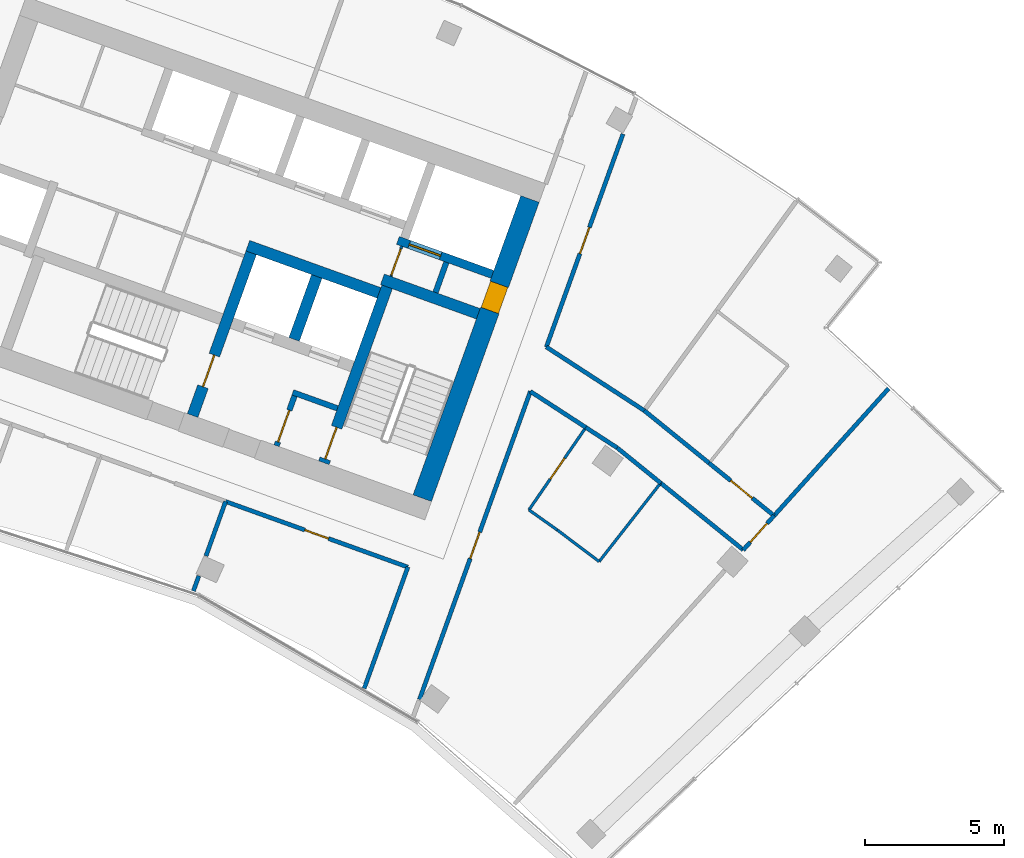
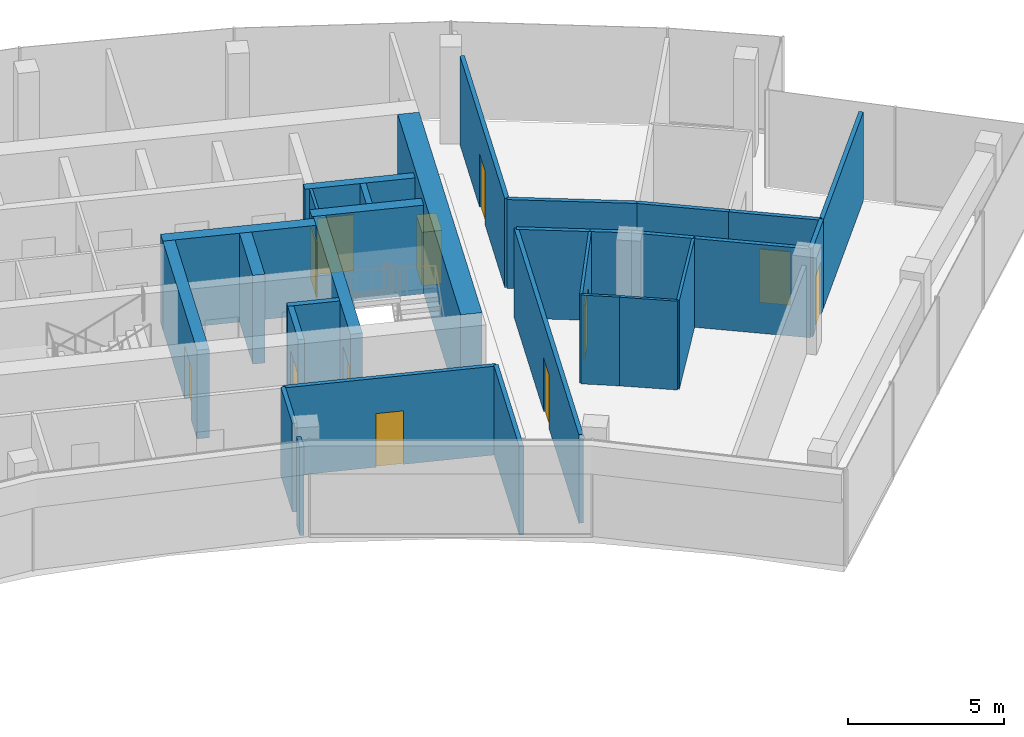
# One storey, part 16 of 18: 30 walls, 12 doors, 12 openings.
"""IFC4 building model written with IfcOpenShell, lengths in metres."""

from ifc_helpers import new_model, si_unit, direction, frame, frame_2d, origin, place, context, subcontext, project, spatial, rectangle, extrude, material, layer, layer_set, type_object, element, fill, save


model = new_model("IFC4")

# Units and contexts
model_context = context("Model", 3, precision=1e-05, world=origin(), true_north=direction((0.0, 1.0)))
body_context = subcontext(model_context, "Body", "Model", "MODEL_VIEW")
ifc_project = project(units=[si_unit("LENGTHUNIT", "METRE"), si_unit("AREAUNIT", "SQUARE_METRE"), si_unit("VOLUMEUNIT", "CUBIC_METRE"), si_unit("PLANEANGLEUNIT", "RADIAN"), si_unit("MASSUNIT", "GRAM", prefix="KILO")], contexts=[model_context])

# Site, building, storey
site_placement = place(None, origin())
site = spatial("IfcSite", under=ifc_project, at=site_placement, CompositionType="ELEMENT")
building_placement = place(site_placement, origin())
building = spatial("IfcBuilding", under=site, at=building_placement, Name="Stone Belt Terrace Tower", CompositionType="ELEMENT")
storey_placement = place(building_placement, frame((0.0, 0.0, 296.0)))
storey = spatial("IfcBuildingStorey", under=building, at=storey_placement, Name="L72", CompositionType="ELEMENT", Elevation=296.0)

# Wall, opening, door
ifc_material_1 = material(Name="Plasterboard partition")
ifc_layer_1 = layer(ifc_material_1, 0.10009765625)
ifc_layer_set_1 = layer_set([ifc_layer_1], Name="Core partition 100")
wall_type_1 = type_object("IfcWallType", Name="Core partition 100", PredefinedType="PARTITIONING", material=ifc_layer_set_1)
wall_1_placement = place(storey_placement, frame((24.555908203125, 51.10400390625, 0.0), z_axis=(0.0, 0.0, 1.0), x_axis=(0.338621735342, 0.94092258999, 0.0)))
wall_1 = element("IfcWall", 1, at=wall_1_placement, inside=storey, type_object=wall_type_1, Name="Core B wall", PredefinedType="PARTITIONING", context=body_context, shape_type="SweptSolid", body=[
    extrude(rectangle(XDim=1.14990234375, YDim=0.10009765625, at=frame_2d((0.574951171875, 0.0))), origin(), (0.0, 0.0, 1.0), 3.47998046875),
])
opening_1_placement = place(wall_1_placement, frame((0.050048828125, 0.0, 0.0)))
opening_1 = element("IfcOpeningElement", 2, at=opening_1_placement, cuts=wall_1, Name="Opening L72-C22", PredefinedType="OPENING", context=body_context, shape_type="SweptSolid", body=[
    extrude(rectangle(XDim=1.0, YDim=2.10009765625, at=frame_2d((0.5, 1.050048828125))), frame((0.0, 0.06005859375, 0.0), z_axis=(0.0, -1.0, 0.0), x_axis=(1.0, 0.0, 0.0)), (0.0, 0.0, 1.0), 0.1201171875),
])
ifc_material_2 = material(Name="Timber door leaf", Category="wood")
door_type_1 = type_object("IfcDoorType", Name="Core room door 1000", OperationType="SINGLE_SWING_LEFT", PredefinedType="DOOR", material=ifc_material_2)
door_1_placement = place(opening_1_placement, origin())
door_1 = element("IfcDoor", 3, at=door_1_placement, inside=storey, type_object=door_type_1, Name="Service lift lobby door core B", OperationType="SINGLE_SWING_LEFT", OverallHeight=2.10009765625, OverallWidth=1.0, PredefinedType="DOOR", context=body_context, shape_type="SweptSolid", body=[
    extrude(rectangle(XDim=1.0, YDim=2.10009765625, at=frame_2d((0.5, 1.050048828125))), frame((0.0, 0.02490234375, 0.0), z_axis=(0.0, -1.0, 0.0), x_axis=(1.0, 0.0, 0.0)), (0.0, 0.0, 1.0), 0.050048828125),
])
fill(opening_1, door_1)

ifc_material_3 = material(Name="Concrete B60", Category="concrete")
ifc_layer_2 = layer(ifc_material_3, 0.699951171875)
ifc_layer_set_2 = layer_set([ifc_layer_2], Name="Core wall 700 B60")
wall_type_2 = type_object("IfcWallType", Name="Core wall 700 B60", PredefinedType="SHEAR", material=ifc_layer_set_2)
wall_2_placement = place(storey_placement, frame((25.679931640625, 43.153564453125, 0.0), z_axis=(0.0, 0.0, 1.0), x_axis=(0.338625431531, 0.940921259788, 0.0)))
wall_2 = element("IfcWall", 4, at=wall_2_placement, inside=storey, type_object=wall_type_2, Name="Core B wall end_b L72", PredefinedType="SHEAR", context=body_context, shape_type="SweptSolid", body=[
    extrude(rectangle(XDim=11.400146484375, YDim=0.699951171875, at=frame_2d((5.7001953125, 0.0))), origin(), (0.0, 0.0, 1.0), 3.800048828125),
])
opening_2_placement = place(wall_2_placement, frame((7.14990234375, 0.0, 0.0)))
opening_2 = element("IfcOpeningElement", 5, at=opening_2_placement, cuts=wall_2, Name="Opening L72-C21", PredefinedType="OPENING", context=body_context, shape_type="SweptSolid", body=[
    extrude(rectangle(XDim=1.0, YDim=2.10009765625, at=frame_2d((0.5, 1.050048828125))), frame((0.0, 0.35986328125, 0.0), z_axis=(0.0, -1.0, 0.0), x_axis=(1.0, 0.0, 0.0)), (0.0, 0.0, 1.0), 0.719970703125),
])
door_2_placement = place(opening_2_placement, origin())
door_2 = element("IfcDoor", 6, at=door_2_placement, inside=storey, type_object=door_type_1, Name="Door to Telecommunications riser room core B", OperationType="SINGLE_SWING_RIGHT", OverallHeight=2.10009765625, OverallWidth=1.0, PredefinedType="DOOR", context=body_context, shape_type="SweptSolid", body=[
    extrude(rectangle(XDim=1.0, YDim=2.10009765625, at=frame_2d((0.5, 1.050048828125))), frame((0.0, 0.330078125, 0.0), z_axis=(0.0, -1.0, 0.0), x_axis=(1.0, 0.0, 0.0)), (0.0, 0.0, 1.0), 0.659912109375),
])
fill(opening_2, door_2)

# Walls
ifc_material_4 = material(Name="Concrete B80", Category="concrete")
ifc_layer_3 = layer(ifc_material_4, 0.39990234375)
ifc_layer_set_3 = layer_set([ifc_layer_3], Name="Fire-fighting lift shaft wall 400")
wall_type_3 = type_object("IfcWallType", Name="Fire-fighting lift shaft wall 400", PredefinedType="SHEAR", material=ifc_layer_set_3)
wall_3_placement = place(storey_placement, frame((24.130615234375, 50.512939453125, 0.0), z_axis=(0.0, 0.0, 1.0), x_axis=(-0.94091168377, 0.338652038744, 0.0)))
element("IfcWall", 7, at=wall_3_placement, inside=storey, type_object=wall_type_3, Name="Core B wall", PredefinedType="SHEAR", context=body_context, shape_type="SweptSolid", body=[
    extrude(rectangle(XDim=5.000244140625, YDim=0.39990234375, at=frame_2d((2.5, 0.0))), origin(), (0.0, 0.0, 1.0), 3.47998046875),
])
wall_4_placement = place(storey_placement, frame((21.0859375, 48.845458984375, 0.0), z_axis=(0.0, 0.0, 1.0), x_axis=(0.338629416206, 0.940919825745, 0.0)))
element("IfcWall", 8, at=wall_4_placement, inside=storey, type_object=wall_type_3, Name="Core B wall", PredefinedType="SHEAR", context=body_context, shape_type="SweptSolid", body=[
    extrude(rectangle(XDim=2.400146484375, YDim=0.39990234375, at=frame_2d((1.2001953125, 0.0))), origin(), (0.0, 0.0, 1.0), 3.47998046875),
])

# Wall, opening, door
ifc_layer_4 = layer(ifc_material_4, 0.300048828125)
ifc_layer_set_4 = layer_set([ifc_layer_4], Name="Lift shaft wall 300")
wall_type_4 = type_object("IfcWallType", Name="Lift shaft wall 300", PredefinedType="SHEAR", material=ifc_layer_set_4)
wall_5_placement = place(storey_placement, frame((28.195068359375, 51.17578125, 0.0), z_axis=(0.0, 0.0, 1.0), x_axis=(-0.940901243567, 0.338681044427, 0.0)))
wall_5 = element("IfcWall", 9, at=wall_5_placement, inside=storey, type_object=wall_type_4, Name="Core B wall", PredefinedType="SHEAR", context=body_context, shape_type="SweptSolid", body=[
    extrude(rectangle(XDim=3.599853515625, YDim=0.300048828125, at=frame_2d((1.7998046875, 0.0))), origin(), (0.0, 0.0, 1.0), 3.47998046875),
])
opening_3_placement = place(wall_5_placement, frame((1.969970703125, 0.0, 0.0)))
opening_3 = element("IfcOpeningElement", 10, at=opening_3_placement, cuts=wall_5, Name="Opening L72-LD14", PredefinedType="OPENING", context=body_context, shape_type="SweptSolid", body=[
    extrude(rectangle(XDim=1.199951171875, YDim=2.199951171875, at=frame_2d((0.60009765625, 1.10009765625))), frame((0.0, 0.159912109375, 0.0), z_axis=(0.0, -1.0, 0.0), x_axis=(1.0, 0.0, 0.0)), (0.0, 0.0, 1.0), 0.320068359375),
])
ifc_material_5 = material(Name="Stainless steel door leaf", Category="steel")
door_type_2 = type_object("IfcDoorType", Name="Landing door 1200", OperationType="SLIDING_TO_LEFT", PredefinedType="DOOR", material=ifc_material_5)
door_3_placement = place(opening_3_placement, origin())
door_3 = element("IfcDoor", 11, at=door_3_placement, inside=storey, type_object=door_type_2, Name="Landing door SV1 core B", OperationType="SLIDING_TO_LEFT", OverallHeight=2.199951171875, OverallWidth=1.199951171875, PredefinedType="DOOR", context=body_context, shape_type="SweptSolid", body=[
    extrude(rectangle(XDim=1.199951171875, YDim=2.199951171875, at=frame_2d((0.60009765625, 1.10009765625))), frame((0.0, 0.02490234375, 0.0), z_axis=(0.0, -1.0, 0.0), x_axis=(1.0, 0.0, 0.0)), (0.0, 0.0, 1.0), 0.050048828125),
])
fill(opening_3, door_3)

ifc_material_6 = material(Name="Gypsum board partition")
ifc_layer_5 = layer(ifc_material_6, 0.10009765625)
ifc_layer_set_5 = layer_set([ifc_layer_5], Name="PARTITION 100")
wall_type_5 = type_object("IfcWallType", Name="PARTITION 100", PredefinedType="PARTITIONING", material=ifc_layer_set_5)
wall_6_placement = place(storey_placement, frame((31.5439453125, 45.68896484375, 0.0), z_axis=(0.0, 0.0, 1.0), x_axis=(-0.568120559213, -0.822945338525, 0.0)))
wall_6 = element("IfcWall", 12, at=wall_6_placement, inside=storey, type_object=wall_type_5, Name="L72/wall/i077", PredefinedType="PARTITIONING", context=body_context, shape_type="SweptSolid", body=[
    extrude(rectangle(XDim=3.5908203125, YDim=0.10009765625, at=frame_2d((1.79541015625, 0.0))), origin(), (0.0, 0.0, 1.0), 3.47998046875),
])
opening_4_placement = place(wall_6_placement, frame((1.345458984375, 0.0, 0.0)))
opening_4 = element("IfcOpeningElement", 13, at=opening_4_placement, cuts=wall_6, Name="Opening D-E5-23", PredefinedType="OPENING", context=body_context, shape_type="SweptSolid", body=[
    extrude(rectangle(XDim=0.89990234375, YDim=2.10009765625, at=frame_2d((0.449951171875, 1.050048828125))), frame((0.0, 0.06005859375, 0.0), z_axis=(0.0, -1.0, 0.0), x_axis=(1.0, 0.0, 0.0)), (0.0, 0.0, 1.0), 0.1201171875),
])
door_type_3 = type_object("IfcDoorType", Name="OFFICE DOOR 900 X 2100", OperationType="NOTDEFINED", PredefinedType="DOOR", material=ifc_material_2)
door_4_placement = place(opening_4_placement, origin())
door_4 = element("IfcDoor", 14, at=door_4_placement, inside=storey, type_object=door_type_3, Name="L72/door/i23", OperationType="SINGLE_SWING_RIGHT", OverallHeight=2.10009765625, OverallWidth=0.89990234375, PredefinedType="DOOR", context=body_context, shape_type="SweptSolid", body=[
    extrude(rectangle(XDim=0.89990234375, YDim=2.10009765625, at=frame_2d((0.449951171875, 1.050048828125))), frame((0.0, 0.02490234375, 0.0), z_axis=(0.0, -1.0, 0.0), x_axis=(1.0, 0.0, 0.0)), (0.0, 0.0, 1.0), 0.050048828125),
])
fill(opening_4, door_4)

# Walls
wall_7_placement = place(storey_placement, frame((29.50390625, 42.73388671875, 0.0), z_axis=(0.0, 0.0, 1.0), x_axis=(0.815986058791, -0.578071580221, 0.0)))
element("IfcWall", 15, at=wall_7_placement, inside=storey, type_object=wall_type_5, Name="L72/wall/i078", PredefinedType="PARTITIONING", context=body_context, shape_type="SweptSolid", body=[
    extrude(rectangle(XDim=1.248779296875, YDim=0.10009765625, at=frame_2d((0.62451171875, 0.0))), origin(), (0.0, 0.0, 1.0), 3.47998046875),
])
wall_8_placement = place(storey_placement, frame((30.52294921875, 42.011962890625, 0.0), z_axis=(0.0, 0.0, 1.0), x_axis=(0.798373260242, -0.602162882725, 0.0)))
element("IfcWall", 16, at=wall_8_placement, inside=storey, type_object=wall_type_5, Name="L72/wall/i079", PredefinedType="PARTITIONING", context=body_context, shape_type="SweptSolid", body=[
    extrude(rectangle(XDim=1.87646484375, YDim=0.10009765625, at=frame_2d((0.938232421875, 0.0))), origin(), (0.0, 0.0, 1.0), 3.47998046875),
])
wall_9_placement = place(storey_placement, frame((32.02099609375, 40.882080078125, 0.0), z_axis=(0.0, 0.0, 1.0), x_axis=(0.616536467142, 0.787326352083, 0.0)))
element("IfcWall", 17, at=wall_9_placement, inside=storey, type_object=wall_type_5, Name="L72/wall/i080", PredefinedType="PARTITIONING", context=body_context, shape_type="SweptSolid", body=[
    extrude(rectangle(XDim=3.57666015625, YDim=0.10009765625, at=frame_2d((1.788330078125, 0.0))), origin(), (0.0, 0.0, 1.0), 3.47998046875),
])
ifc_layer_6 = layer(ifc_material_6, 0.14990234375)
ifc_layer_set_6 = layer_set([ifc_layer_6], Name="PARTITION 150 EI 60")
wall_type_6 = type_object("IfcWallType", Name="PARTITION 150 EI 60", PredefinedType="PARTITIONING", material=ifc_layer_set_6)
wall_10_placement = place(storey_placement, frame((23.5966796875, 36.330810546875, 0.0), z_axis=(0.0, 0.0, 1.0), x_axis=(0.338609342271, 0.94092704995, 0.0)))
element("IfcWall", 18, at=wall_10_placement, inside=storey, type_object=wall_type_6, Name="L72/wall/i027", PredefinedType="PARTITIONING", context=body_context, shape_type="SweptSolid", body=[
    extrude(rectangle(XDim=4.6318359375, YDim=0.14990234375, at=frame_2d((2.31591796875, 0.0))), origin(), (0.0, 0.0, 1.0), 3.47998046875),
])

# Wall, opening, door
wall_11_placement = place(storey_placement, frame((29.556884765625, 46.987060546875, 0.0), z_axis=(0.0, 0.0, 1.0), x_axis=(-0.338660555828, -0.940908618265, 0.0)))
wall_11 = element("IfcWall", 19, at=wall_11_placement, inside=storey, type_object=wall_type_6, Name="L72/wall/i029", PredefinedType="PARTITIONING", context=body_context, shape_type="SweptSolid", body=[
    extrude(rectangle(XDim=11.73974609375, YDim=0.14990234375, at=frame_2d((5.869873046875, 0.0))), origin(), (0.0, 0.0, 1.0), 3.47998046875),
])
opening_5_placement = place(wall_11_placement, frame((5.369873046875, 0.0, 0.0)))
opening_5 = element("IfcOpeningElement", 20, at=opening_5_placement, cuts=wall_11, Name="Opening D-E5-22", PredefinedType="OPENING", context=body_context, shape_type="SweptSolid", body=[
    extrude(rectangle(XDim=1.0, YDim=2.10009765625, at=frame_2d((0.5, 1.050048828125))), frame((0.0, 0.0849609375, 0.0), z_axis=(0.0, -1.0, 0.0), x_axis=(1.0, 0.0, 0.0)), (0.0, 0.0, 1.0), 0.169921875),
])
ifc_material_7 = material(Name="Timber fire door leaf", Category="wood")
door_type_4 = type_object("IfcDoorType", Name="TENANCY ENTRANCE DOOR 1000 X 2100", OperationType="NOTDEFINED", PredefinedType="DOOR", material=ifc_material_7)
door_5_placement = place(opening_5_placement, origin())
door_5 = element("IfcDoor", 21, at=door_5_placement, inside=storey, type_object=door_type_4, Name="L72/door/i22", OperationType="SINGLE_SWING_LEFT", OverallHeight=2.10009765625, OverallWidth=1.0, PredefinedType="DOOR", context=body_context, shape_type="SweptSolid", body=[
    extrude(rectangle(XDim=1.0, YDim=2.10009765625, at=frame_2d((0.5, 1.050048828125))), frame((0.0, 0.02490234375, 0.0), z_axis=(0.0, -1.0, 0.0), x_axis=(1.0, 0.0, 0.0)), (0.0, 0.0, 1.0), 0.050048828125),
])
fill(opening_5, door_5)

wall_12_placement = place(storey_placement, frame((32.875244140625, 56.20703125, 0.0), z_axis=(0.0, 0.0, 1.0), x_axis=(-0.338638537247, -0.940916543106, 0.0)))
wall_12 = element("IfcWall", 22, at=wall_12_placement, inside=storey, type_object=wall_type_6, Name="L72/wall/i032", PredefinedType="PARTITIONING", context=body_context, shape_type="SweptSolid", body=[
    extrude(rectangle(XDim=8.11865234375, YDim=0.14990234375, at=frame_2d((4.059326171875, 0.0))), origin(), (0.0, 0.0, 1.0), 3.47998046875),
])
opening_6_placement = place(wall_12_placement, frame((3.559326171875, 0.0, 0.0)))
opening_6 = element("IfcOpeningElement", 23, at=opening_6_placement, cuts=wall_12, Name="Opening D-E5-24", PredefinedType="OPENING", context=body_context, shape_type="SweptSolid", body=[
    extrude(rectangle(XDim=1.0, YDim=2.10009765625, at=frame_2d((0.5, 1.050048828125))), frame((0.0, 0.0849609375, 0.0), z_axis=(0.0, -1.0, 0.0), x_axis=(1.0, 0.0, 0.0)), (0.0, 0.0, 1.0), 0.169921875),
])
door_6_placement = place(opening_6_placement, origin())
door_6 = element("IfcDoor", 24, at=door_6_placement, inside=storey, type_object=door_type_4, Name="L72/door/i24", OperationType="SINGLE_SWING_RIGHT", OverallHeight=2.10009765625, OverallWidth=1.0, PredefinedType="DOOR", context=body_context, shape_type="SweptSolid", body=[
    extrude(rectangle(XDim=1.0, YDim=2.10009765625, at=frame_2d((0.5, 1.050048828125))), frame((0.0, 0.02490234375, 0.0), z_axis=(0.0, -1.0, 0.0), x_axis=(1.0, 0.0, 0.0)), (0.0, 0.0, 1.0), 0.050048828125),
])
fill(opening_6, door_6)

wall_13_placement = place(storey_placement, frame((25.1630859375, 40.68310546875, 0.0), z_axis=(0.0, 0.0, 1.0), x_axis=(-0.940890098745, 0.338712004633, 0.0)))
wall_13 = element("IfcWall", 25, at=wall_13_placement, inside=storey, type_object=wall_type_6, Name="L72/wall/i036", PredefinedType="PARTITIONING", context=body_context, shape_type="SweptSolid", body=[
    extrude(rectangle(XDim=6.949951171875, YDim=0.14990234375, at=frame_2d((3.47509765625, 0.0))), origin(), (0.0, 0.0, 1.0), 3.47998046875),
])
opening_7_placement = place(wall_13_placement, frame((3.02490234375, 0.0, 0.0)))
opening_7 = element("IfcOpeningElement", 26, at=opening_7_placement, cuts=wall_13, Name="Opening D-E5-10", PredefinedType="OPENING", context=body_context, shape_type="SweptSolid", body=[
    extrude(rectangle(XDim=0.89990234375, YDim=2.10009765625, at=frame_2d((0.449951171875, 1.050048828125))), frame((0.0, 0.0849609375, 0.0), z_axis=(0.0, -1.0, 0.0), x_axis=(1.0, 0.0, 0.0)), (0.0, 0.0, 1.0), 0.169921875),
])
door_7_placement = place(opening_7_placement, origin())
door_7 = element("IfcDoor", 27, at=door_7_placement, inside=storey, type_object=door_type_3, Name="L72/door/i10", OperationType="SINGLE_SWING_RIGHT", OverallHeight=2.10009765625, OverallWidth=0.89990234375, PredefinedType="DOOR", context=body_context, shape_type="SweptSolid", body=[
    extrude(rectangle(XDim=0.89990234375, YDim=2.10009765625, at=frame_2d((0.449951171875, 1.050048828125))), frame((0.0, 0.02490234375, 0.0), z_axis=(0.0, -1.0, 0.0), x_axis=(1.0, 0.0, 0.0)), (0.0, 0.0, 1.0), 0.050048828125),
])
fill(opening_7, door_7)

# Walls
wall_14_placement = place(storey_placement, frame((18.62890625, 43.033935546875, 0.0), z_axis=(0.0, 0.0, 1.0), x_axis=(-0.338523288792, -0.940958013381, 0.0)))
element("IfcWall", 28, at=wall_14_placement, inside=storey, type_object=wall_type_6, Name="L72/wall/i039", PredefinedType="PARTITIONING", context=body_context, shape_type="SweptSolid", body=[
    extrude(rectangle(XDim=2.0712890625, YDim=0.14990234375, at=frame_2d((1.03564453125, 0.0))), origin(), (0.0, 0.0, 1.0), 3.47998046875),
])
wall_15_placement = place(storey_placement, frame((17.669921875, 40.367919921875, 0.0), z_axis=(0.0, 0.0, 1.0), x_axis=(-0.338689559732, -0.940898178407, 0.0)))
element("IfcWall", 29, at=wall_15_placement, inside=storey, type_object=wall_type_6, Name="L72/wall/i040", PredefinedType="PARTITIONING", context=body_context, shape_type="SweptSolid", body=[
    extrude(rectangle(XDim=0.578125, YDim=0.14990234375, at=frame_2d((0.2890625, 0.0))), origin(), (0.0, 0.0, 1.0), 3.47998046875),
])

# Wall, opening, door
wall_16_placement = place(storey_placement, frame((38.294921875, 42.530029296875, 0.0), z_axis=(0.0, 0.0, 1.0), x_axis=(-0.669037778615, -0.743228397456, 0.0)))
wall_16 = element("IfcWall", 30, at=wall_16_placement, inside=storey, type_object=wall_type_6, Name="L72/wall/i067", PredefinedType="PARTITIONING", context=body_context, shape_type="SweptSolid", body=[
    extrude(rectangle(XDim=1.661865234375, YDim=0.14990234375, at=frame_2d((0.8310546875, 0.0))), origin(), (0.0, 0.0, 1.0), 3.47998046875),
])
opening_8_placement = place(wall_16_placement, frame((0.380859375, 0.0, 0.0)))
opening_8 = element("IfcOpeningElement", 31, at=opening_8_placement, cuts=wall_16, Name="Opening D-E5-21", PredefinedType="OPENING", context=body_context, shape_type="SweptSolid", body=[
    extrude(rectangle(XDim=0.89990234375, YDim=2.10009765625, at=frame_2d((0.449951171875, 1.050048828125))), frame((0.0, 0.0849609375, 0.0), z_axis=(0.0, -1.0, 0.0), x_axis=(1.0, 0.0, 0.0)), (0.0, 0.0, 1.0), 0.169921875),
])
door_8_placement = place(opening_8_placement, origin())
door_8 = element("IfcDoor", 32, at=door_8_placement, inside=storey, type_object=door_type_3, Name="L72/door/i21", OperationType="SINGLE_SWING_RIGHT", OverallHeight=2.10009765625, OverallWidth=0.89990234375, PredefinedType="DOOR", context=body_context, shape_type="SweptSolid", body=[
    extrude(rectangle(XDim=0.89990234375, YDim=2.10009765625, at=frame_2d((0.449951171875, 1.050048828125))), frame((0.0, 0.02490234375, 0.0), z_axis=(0.0, -1.0, 0.0), x_axis=(1.0, 0.0, 0.0)), (0.0, 0.0, 1.0), 0.050048828125),
])
fill(opening_8, door_8)

# Walls
wall_17_placement = place(storey_placement, frame((38.287109375, 42.52099609375, 0.0), z_axis=(0.0, 0.0, 1.0), x_axis=(0.669070076375, 0.743199322457, 0.0)))
element("IfcWall", 33, at=wall_17_placement, inside=storey, type_object=wall_type_6, Name="L72/wall/i069", PredefinedType="PARTITIONING", context=body_context, shape_type="SweptSolid", body=[
    extrude(rectangle(XDim=6.1455078125, YDim=0.14990234375, at=frame_2d((3.07275390625, 0.0))), origin(), (0.0, 0.0, 1.0), 3.47998046875),
])
wall_18_placement = place(storey_placement, frame((31.549072265625, 45.68603515625, 0.0), z_axis=(0.0, 0.0, 1.0), x_axis=(-0.838687509275, 0.544612946767, 0.0)))
element("IfcWall", 34, at=wall_18_placement, inside=storey, type_object=wall_type_6, Name="L72/wall/i070", PredefinedType="PARTITIONING", context=body_context, shape_type="SweptSolid", body=[
    extrude(rectangle(XDim=2.377685546875, YDim=0.14990234375, at=frame_2d((1.18896484375, 0.0))), origin(), (0.0, 0.0, 1.0), 3.47998046875),
])
wall_19_placement = place(storey_placement, frame((37.18701171875, 41.300048828125, 0.0), z_axis=(0.0, 0.0, 1.0), x_axis=(-0.77714803313, 0.629317832738, 0.0)))
element("IfcWall", 35, at=wall_19_placement, inside=storey, type_object=wall_type_6, Name="L72/wall/i071", PredefinedType="PARTITIONING", context=body_context, shape_type="SweptSolid", body=[
    extrude(rectangle(XDim=3.816650390625, YDim=0.14990234375, at=frame_2d((1.908203125, 0.0))), origin(), (0.0, 0.0, 1.0), 3.47998046875),
])
wall_20_placement = place(storey_placement, frame((34.23095703125, 43.694091796875, 0.0), z_axis=(0.0, 0.0, 1.0), x_axis=(-0.777247694458, 0.62919474049, 0.0)))
element("IfcWall", 36, at=wall_20_placement, inside=storey, type_object=wall_type_6, Name="L72/wall/i072", PredefinedType="PARTITIONING", context=body_context, shape_type="SweptSolid", body=[
    extrude(rectangle(XDim=2.013427734375, YDim=0.14990234375, at=frame_2d((1.0068359375, 0.0))), origin(), (0.0, 0.0, 1.0), 3.47998046875),
])
wall_21_placement = place(storey_placement, frame((32.666015625, 44.9609375, 0.0), z_axis=(0.0, 0.0, 1.0), x_axis=(-0.838974743081, 0.544170359789, 0.0)))
element("IfcWall", 37, at=wall_21_placement, inside=storey, type_object=wall_type_6, Name="L72/wall/i073", PredefinedType="PARTITIONING", context=body_context, shape_type="SweptSolid", body=[
    extrude(rectangle(XDim=1.34326171875, YDim=0.14990234375, at=frame_2d((0.671630859375, 0.0))), origin(), (0.0, 0.0, 1.0), 3.47998046875),
])
wall_22_placement = place(storey_placement, frame((30.1279296875, 48.573974609375, 0.0), z_axis=(0.0, 0.0, 1.0), x_axis=(0.838679571288, -0.544625170832, 0.0)))
element("IfcWall", 38, at=wall_22_placement, inside=storey, type_object=wall_type_6, Name="L72/wall/i074", PredefinedType="PARTITIONING", context=body_context, shape_type="SweptSolid", body=[
    extrude(rectangle(XDim=4.182861328125, YDim=0.14990234375, at=frame_2d((2.09130859375, 0.0))), origin(), (0.0, 0.0, 1.0), 3.47998046875),
])

# Wall, opening, door
wall_23_placement = place(storey_placement, frame((35.958984375, 44.4140625, 0.0), z_axis=(0.0, 0.0, 1.0), x_axis=(0.777188024259, -0.629268444265, 0.0)))
wall_23 = element("IfcWall", 39, at=wall_23_placement, inside=storey, type_object=wall_type_6, Name="L72/wall/i075", PredefinedType="PARTITIONING", context=body_context, shape_type="SweptSolid", body=[
    extrude(rectangle(XDim=3.00048828125, YDim=0.14990234375, at=frame_2d((1.500244140625, 0.0))), origin(), (0.0, 0.0, 1.0), 3.47998046875),
])
opening_9_placement = place(wall_23_placement, frame((1.000244140625, 0.0, 0.0)))
opening_9 = element("IfcOpeningElement", 40, at=opening_9_placement, cuts=wall_23, Name="Opening D-E5-25", PredefinedType="OPENING", context=body_context, shape_type="SweptSolid", body=[
    extrude(rectangle(XDim=1.0, YDim=2.10009765625, at=frame_2d((0.5, 1.050048828125))), frame((0.0, 0.0849609375, 0.0), z_axis=(0.0, -1.0, 0.0), x_axis=(1.0, 0.0, 0.0)), (0.0, 0.0, 1.0), 0.169921875),
])
door_9_placement = place(opening_9_placement, origin())
door_9 = element("IfcDoor", 41, at=door_9_placement, inside=storey, type_object=door_type_4, Name="L72/door/i25", OperationType="SINGLE_SWING_RIGHT", OverallHeight=2.10009765625, OverallWidth=1.0, PredefinedType="DOOR", context=body_context, shape_type="SweptSolid", body=[
    extrude(rectangle(XDim=1.0, YDim=2.10009765625, at=frame_2d((0.5, 1.050048828125))), frame((0.0, 0.02490234375, 0.0), z_axis=(0.0, -1.0, 0.0), x_axis=(1.0, 0.0, 0.0)), (0.0, 0.0, 1.0), 0.050048828125),
])
fill(opening_9, door_9)

# Walls
wall_24_placement = place(storey_placement, frame((33.635986328125, 46.2958984375, 0.0), z_axis=(0.0, 0.0, 1.0), x_axis=(0.777068653144, -0.629415846878, 0.0)))
element("IfcWall", 42, at=wall_24_placement, inside=storey, type_object=wall_type_6, Name="L72/wall/i076", PredefinedType="PARTITIONING", context=body_context, shape_type="SweptSolid", body=[
    extrude(rectangle(XDim=3.0009765625, YDim=0.14990234375, at=frame_2d((1.50048828125, 0.0))), origin(), (0.0, 0.0, 1.0), 3.47998046875),
])
ifc_material_8 = material(Name="Concrete masonry block", Category="masonry")
ifc_layer_7 = layer(ifc_material_8, 0.199951171875)
ifc_layer_set_7 = layer_set([ifc_layer_7], Name="Rated lobby wall 200")
wall_type_7 = type_object("IfcWallType", Name="Rated lobby wall 200", PredefinedType="PARTITIONING", material=ifc_layer_set_7)
wall_25_placement = place(storey_placement, frame((26.1552734375, 50.5283203125, 0.0), z_axis=(0.0, 0.0, 1.0), x_axis=(0.338621735342, 0.94092258999, 0.0)))
element("IfcWall", 43, at=wall_25_placement, inside=storey, type_object=wall_type_7, Name="Core B wall", PredefinedType="PARTITIONING", context=body_context, shape_type="SweptSolid", body=[
    extrude(rectangle(XDim=1.14990234375, YDim=0.199951171875, at=frame_2d((0.574951171875, 0.0))), origin(), (0.0, 0.0, 1.0), 3.47998046875),
])
wall_26_placement = place(storey_placement, frame((22.640625, 46.373046875, 0.0), z_axis=(0.0, 0.0, 1.0), x_axis=(-0.940966110313, 0.338500781747, 0.0)))
element("IfcWall", 44, at=wall_26_placement, inside=storey, type_object=wall_type_7, Name="Core B wall", PredefinedType="PARTITIONING", context=body_context, shape_type="SweptSolid", body=[
    extrude(rectangle(XDim=1.699951171875, YDim=0.199951171875, at=frame_2d((0.85009765625, 0.0))), origin(), (0.0, 0.0, 1.0), 3.47998046875),
])

# Wall, opening, door
wall_27_placement = place(storey_placement, frame((20.4580078125, 45.032958984375, 0.0), z_axis=(0.0, 0.0, 1.0), x_axis=(0.338573865316, 0.940939816208, 0.0)))
wall_27 = element("IfcWall", 45, at=wall_27_placement, inside=storey, type_object=wall_type_7, Name="Core B wall", PredefinedType="PARTITIONING", context=body_context, shape_type="SweptSolid", body=[
    extrude(rectangle(XDim=1.900146484375, YDim=0.199951171875, at=frame_2d((0.9501953125, 0.0))), origin(), (0.0, 0.0, 1.0), 3.47998046875),
])
opening_10_placement = place(wall_27_placement, frame((0.14990234375, 0.0, 0.0)))
opening_10 = element("IfcOpeningElement", 46, at=opening_10_placement, cuts=wall_27, Name="Opening L72-C26", PredefinedType="OPENING", context=body_context, shape_type="SweptSolid", body=[
    extrude(rectangle(XDim=1.199951171875, YDim=2.10009765625, at=frame_2d((0.60009765625, 1.050048828125))), frame((0.0, 0.10986328125, 0.0), z_axis=(0.0, -1.0, 0.0), x_axis=(1.0, 0.0, 0.0)), (0.0, 0.0, 1.0), 0.219970703125),
])
ifc_material_9 = material(Name="Steel door leaf", Category="steel")
door_type_5 = type_object("IfcDoorType", Name="Stair door 1200", OperationType="SINGLE_SWING_LEFT", PredefinedType="DOOR", material=ifc_material_9)
door_10_placement = place(opening_10_placement, origin())
door_10 = element("IfcDoor", 47, at=door_10_placement, inside=storey, type_object=door_type_5, Name="Stair airlock door core B", OperationType="SINGLE_SWING_LEFT", OverallHeight=2.10009765625, OverallWidth=1.199951171875, PredefinedType="DOOR", context=body_context, shape_type="SweptSolid", body=[
    extrude(rectangle(XDim=1.199951171875, YDim=2.10009765625, at=frame_2d((0.60009765625, 1.050048828125))), frame((0.0, 0.02490234375, 0.0), z_axis=(0.0, -1.0, 0.0), x_axis=(1.0, 0.0, 0.0)), (0.0, 0.0, 1.0), 0.050048828125),
])
fill(opening_10, door_10)

# Wall
ifc_layer_8 = layer(ifc_material_4, 0.39990234375)
ifc_layer_set_8 = layer_set([ifc_layer_8], Name="Stair enclosure wall 400")
wall_type_8 = type_object("IfcWallType", Name="Stair enclosure wall 400", PredefinedType="SHEAR", material=ifc_layer_set_8)
wall_28_placement = place(storey_placement, frame((27.687255859375, 49.764404296875, 0.0), z_axis=(0.0, 0.0, 1.0), x_axis=(-0.940918954884, 0.338631835981, 0.0)))
element("IfcWall", 48, at=wall_28_placement, inside=storey, type_object=wall_type_8, Name="Core B wall", PredefinedType="SHEAR", context=body_context, shape_type="SweptSolid", body=[
    extrude(rectangle(XDim=3.650146484375, YDim=0.39990234375, at=frame_2d((1.8251953125, 0.0))), origin(), (0.0, 0.0, 1.0), 3.47998046875),
])

# Wall, opening, door
wall_29_placement = place(storey_placement, frame((22.151611328125, 44.42333984375, 0.0), z_axis=(0.0, 0.0, 1.0), x_axis=(0.338625272931, 0.940921316866, 0.0)))
wall_29 = element("IfcWall", 49, at=wall_29_placement, inside=storey, type_object=wall_type_8, Name="Core B wall", PredefinedType="SHEAR", context=body_context, shape_type="SweptSolid", body=[
    extrude(rectangle(XDim=6.699951171875, YDim=0.39990234375, at=frame_2d((3.35009765625, 0.0))), origin(), (0.0, 0.0, 1.0), 3.47998046875),
])
opening_11_placement = place(wall_29_placement, frame((0.14990234375, 0.0, 0.0)))
opening_11 = element("IfcOpeningElement", 50, at=opening_11_placement, cuts=wall_29, Name="Opening L72-C25", PredefinedType="OPENING", context=body_context, shape_type="SweptSolid", body=[
    extrude(rectangle(XDim=1.199951171875, YDim=2.10009765625, at=frame_2d((0.60009765625, 1.050048828125))), frame((0.0, 0.2099609375, 0.0), z_axis=(0.0, -1.0, 0.0), x_axis=(1.0, 0.0, 0.0)), (0.0, 0.0, 1.0), 0.419921875),
])
door_11_placement = place(opening_11_placement, origin())
door_11 = element("IfcDoor", 51, at=door_11_placement, inside=storey, type_object=door_type_5, Name="Stair 1 door core B", OperationType="SINGLE_SWING_LEFT", OverallHeight=2.10009765625, OverallWidth=1.199951171875, PredefinedType="DOOR", context=body_context, shape_type="SweptSolid", body=[
    extrude(rectangle(XDim=1.199951171875, YDim=2.10009765625, at=frame_2d((0.60009765625, 1.050048828125))), frame((0.0, 0.02490234375, 0.0), z_axis=(0.0, -1.0, 0.0), x_axis=(1.0, 0.0, 0.0)), (0.0, 0.0, 1.0), 0.050048828125),
])
fill(opening_11, door_11)

wall_30_placement = place(storey_placement, frame((17.447021484375, 46.116455078125, 0.0), z_axis=(0.0, 0.0, 1.0), x_axis=(0.33860791464, 0.940927563707, 0.0)))
wall_30 = element("IfcWall", 52, at=wall_30_placement, inside=storey, type_object=wall_type_8, Name="Core B wall", PredefinedType="SHEAR", context=body_context, shape_type="SweptSolid", body=[
    extrude(rectangle(XDim=6.199951171875, YDim=0.39990234375, at=frame_2d((3.10009765625, 0.0))), origin(), (0.0, 0.0, 1.0), 3.47998046875),
])
opening_12_placement = place(wall_30_placement, frame((1.10009765625, 0.0, 0.0)))
opening_12 = element("IfcOpeningElement", 53, at=opening_12_placement, cuts=wall_30, Name="Opening L72-C28", PredefinedType="OPENING", context=body_context, shape_type="SweptSolid", body=[
    extrude(rectangle(XDim=1.199951171875, YDim=2.10009765625, at=frame_2d((0.60009765625, 1.050048828125))), frame((0.0, 0.2099609375, 0.0), z_axis=(0.0, -1.0, 0.0), x_axis=(1.0, 0.0, 0.0)), (0.0, 0.0, 1.0), 0.419921875),
])
door_12_placement = place(opening_12_placement, origin())
door_12 = element("IfcDoor", 54, at=door_12_placement, inside=storey, type_object=door_type_5, Name="Stair 2 door core B", OperationType="SINGLE_SWING_LEFT", OverallHeight=2.10009765625, OverallWidth=1.199951171875, PredefinedType="DOOR", context=body_context, shape_type="SweptSolid", body=[
    extrude(rectangle(XDim=1.199951171875, YDim=2.10009765625, at=frame_2d((0.60009765625, 1.050048828125))), frame((0.0, 0.02490234375, 0.0), z_axis=(0.0, -1.0, 0.0), x_axis=(1.0, 0.0, 0.0)), (0.0, 0.0, 1.0), 0.050048828125),
])
fill(opening_12, door_12)

save(model, "model.ifc")
